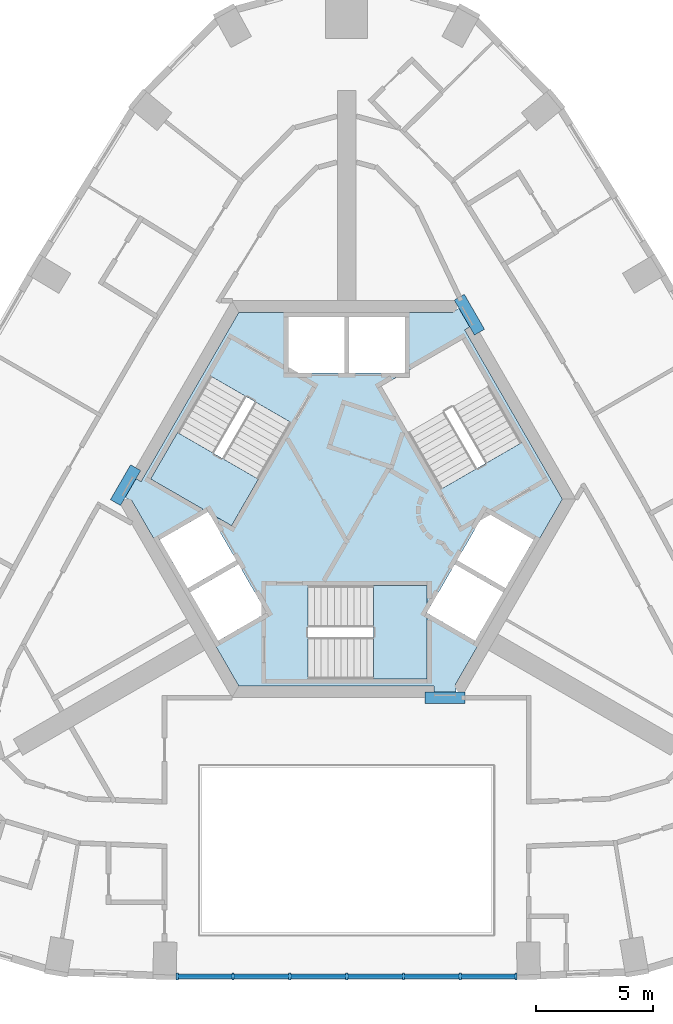
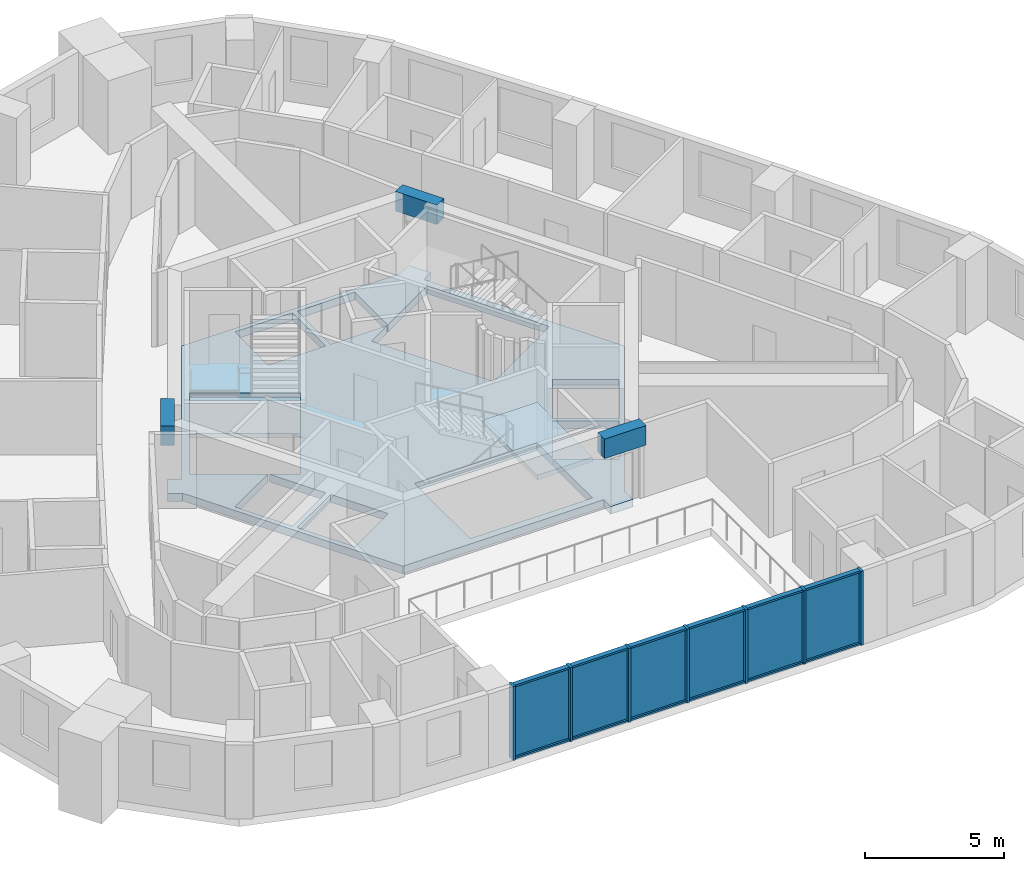
# One storey, part 2 of 10: 19 members, 6 plates, 3 beams, 3 slabs, 3 elements without a shape of their own.
"""IFC4 building model written with IfcOpenShell, lengths in metres."""

from ifc_helpers import new_model, si_unit, direction, frame, origin, origin_2d, place, context, subcontext, project, spatial, polyline, rectangle, outline, extrude, material, layer, layer_set, material_profile, profile_set, type_object, element, aggregate, save


model = new_model("IFC4")

# Units and contexts
model_context = context("Model", 3, precision=1e-05, world=origin(), true_north=direction((0.0, 1.0)))
body_context = subcontext(model_context, "Body", "Model", "MODEL_VIEW")
ifc_project = project(units=[si_unit("LENGTHUNIT", "METRE"), si_unit("AREAUNIT", "SQUARE_METRE"), si_unit("VOLUMEUNIT", "CUBIC_METRE"), si_unit("PLANEANGLEUNIT", "RADIAN"), si_unit("MASSUNIT", "GRAM", prefix="KILO")], contexts=[model_context])

# Site, building, storey
site_placement = place(None, origin())
site = spatial("IfcSite", under=ifc_project, at=site_placement, CompositionType="ELEMENT")
building_placement = place(site_placement, origin())
building = spatial("IfcBuilding", under=site, at=building_placement, Name="Entoto Arch Interchange Tower", CompositionType="ELEMENT")
storey_placement = place(building_placement, frame((0.0, 0.0, 300.800048828125)))
storey = spatial("IfcBuildingStorey", under=building, at=storey_placement, Name="L70", CompositionType="ELEMENT", Elevation=300.800048828125)

# Beams
ifc_material_1 = material(Name="Concrete C40/50", Category="concrete")
ifc_material_profile_1 = material_profile(ifc_material_1, rectangle(XDim=0.5, YDim=0.860107421875, at=origin_2d()))
ifc_profile_set_1 = profile_set([ifc_material_profile_1], Name="Concrete C40/50")
beam_type = type_object("IfcBeamType", Name="Coupling beam RC 500x860 C40/50", PredefinedType="BEAM", material=ifc_profile_set_1)
for number, where, z_axis, x_axis, name in (
    (1, (5.68603515625, 9.65087890625, 2.829833984375), (-0.500105721196, 0.865964357019, 0.0), (-0.865964357019, -0.500105721196, 0.0), "Coupling beam NE L70"),
    (2, (-9.035888671875, 3.84912109375, 2.829833984375), (-0.500105721196, -0.865964357019, 0.0), (0.865964357019, -0.500105721196, 0.0), "Coupling beam NW L70"),
):
    element("IfcBeam", number, at=place(storey_placement, frame(where, z_axis=z_axis, x_axis=x_axis)), inside=storey, type_object=beam_type, Name=name, PredefinedType="BEAM", context=body_context, shape_type="SweptSolid", body=[
        extrude(rectangle(XDim=0.5, YDim=0.860107421875, at=origin_2d()), origin(), (0.0, 0.0, 1.0), 1.727783203125),
    ])
beam_placement = place(storey_placement, frame((3.35009765625, -6.0, 2.829833984375), z_axis=(1.0, 0.0, 0.0), x_axis=(0.0, 1.0, 0.0)))
element("IfcBeam", 3, at=beam_placement, inside=storey, type_object=beam_type, Name="Coupling beam S L70", PredefinedType="BEAM", context=body_context, shape_type="SweptSolid", body=[
    extrude(rectangle(XDim=0.5, YDim=0.860107421875, at=origin_2d()), origin(), (0.0, 0.0, 1.0), 1.725830078125),
])

# Curtain wall, members
ifc_material_2 = material(Name="Aluminium, anodised", Category="aluminium")
curtain_wall_type = type_object("IfcCurtainWallType", Name="CURTAIN WALL ATRIUM", PredefinedType="NOTDEFINED", material=ifc_material_2)
curtain_wall_placement = place(storey_placement, origin())
curtain_wall = element("IfcCurtainWall", 4, at=curtain_wall_placement, inside=storey, type_object=curtain_wall_type, Name="Atrium glazing S-02 L70", PredefinedType="NOTDEFINED")
ifc_material_profile_2 = material_profile(ifc_material_2, rectangle(XDim=0.300048828125, YDim=0.10009765625, at=origin_2d()))
ifc_profile_set_2 = profile_set([ifc_material_profile_2], Name="Aluminium, anodised")
member_type_1 = type_object("IfcMemberType", Name="MULLION ATRIUM 100x300", PredefinedType="MULLION", material=ifc_profile_set_2)
member_1_placement = place(storey_placement, frame((-7.248046875, -17.93896484375, 0.0), z_axis=(0.0, 0.0, 1.0), x_axis=(0.0, 1.0, 0.0)))
member_1 = element("IfcMember", 5, at=member_1_placement, type_object=member_type_1, Name="CWA mullion 1", PredefinedType="MULLION", context=body_context, shape_type="SweptSolid", body=[
    extrude(rectangle(XDim=0.300048828125, YDim=0.10009765625, at=origin_2d()), origin(), (0.0, 0.0, 1.0), 3.260009765625),
])
member_2_placement = place(storey_placement, frame((-4.865234375, -17.93896484375, 0.0), z_axis=(0.0, 0.0, 1.0), x_axis=(0.0, 1.0, 0.0)))
member_2 = element("IfcMember", 6, at=member_2_placement, type_object=member_type_1, Name="CWA mullion 2", PredefinedType="MULLION", context=body_context, shape_type="SweptSolid", body=[
    extrude(rectangle(XDim=0.300048828125, YDim=0.10009765625, at=origin_2d()), origin(), (0.0, 0.0, 1.0), 3.260009765625),
])
member_3_placement = place(storey_placement, frame((-2.4326171875, -17.93896484375, 0.0), z_axis=(0.0, 0.0, 1.0), x_axis=(0.0, 1.0, 0.0)))
member_3 = element("IfcMember", 7, at=member_3_placement, type_object=member_type_1, Name="CWA mullion 3", PredefinedType="MULLION", context=body_context, shape_type="SweptSolid", body=[
    extrude(rectangle(XDim=0.300048828125, YDim=0.10009765625, at=origin_2d()), origin(), (0.0, 0.0, 1.0), 3.260009765625),
])
member_4_placement = place(storey_placement, frame((0.0, -17.93896484375, 0.0), z_axis=(0.0, 0.0, 1.0), x_axis=(0.0, 1.0, 0.0)))
member_4 = element("IfcMember", 8, at=member_4_placement, type_object=member_type_1, Name="CWA mullion 4", PredefinedType="MULLION", context=body_context, shape_type="SweptSolid", body=[
    extrude(rectangle(XDim=0.300048828125, YDim=0.10009765625, at=origin_2d()), origin(), (0.0, 0.0, 1.0), 3.260009765625),
])
member_5_placement = place(storey_placement, frame((2.4326171875, -17.93896484375, 0.0), z_axis=(0.0, 0.0, 1.0), x_axis=(0.0, 1.0, 0.0)))
member_5 = element("IfcMember", 9, at=member_5_placement, type_object=member_type_1, Name="CWA mullion 5", PredefinedType="MULLION", context=body_context, shape_type="SweptSolid", body=[
    extrude(rectangle(XDim=0.300048828125, YDim=0.10009765625, at=origin_2d()), origin(), (0.0, 0.0, 1.0), 3.260009765625),
])
member_6_placement = place(storey_placement, frame((4.865234375, -17.93896484375, 0.0), z_axis=(0.0, 0.0, 1.0), x_axis=(0.0, 1.0, 0.0)))
member_6 = element("IfcMember", 10, at=member_6_placement, type_object=member_type_1, Name="CWA mullion 6", PredefinedType="MULLION", context=body_context, shape_type="SweptSolid", body=[
    extrude(rectangle(XDim=0.300048828125, YDim=0.10009765625, at=origin_2d()), origin(), (0.0, 0.0, 1.0), 3.260009765625),
])
member_7_placement = place(storey_placement, frame((7.248046875, -17.93896484375, 0.0), z_axis=(0.0, 0.0, 1.0), x_axis=(0.0, 1.0, 0.0)))
member_7 = element("IfcMember", 11, at=member_7_placement, type_object=member_type_1, Name="CWA mullion 7", PredefinedType="MULLION", context=body_context, shape_type="SweptSolid", body=[
    extrude(rectangle(XDim=0.300048828125, YDim=0.10009765625, at=origin_2d()), origin(), (0.0, 0.0, 1.0), 3.260009765625),
])
ifc_material_profile_3 = material_profile(ifc_material_2, rectangle(XDim=0.199951171875, YDim=0.080078125, at=origin_2d()))
ifc_profile_set_3 = profile_set([ifc_material_profile_3], Name="Aluminium, anodised")
member_type_2 = type_object("IfcMemberType", Name="TRANSOM ATRIUM 80x200", PredefinedType="USERDEFINED", material=ifc_profile_set_3)
member_8_placement = place(storey_placement, frame((-7.197998046875, -17.93896484375, 0.0400390625), z_axis=(1.0, 0.0, 0.0), x_axis=(0.0, 1.0, 0.0)))
member_8 = element("IfcMember", 12, at=member_8_placement, type_object=member_type_2, Name="CWA transom 1.1", ObjectType="TRANSOM", PredefinedType="USERDEFINED", context=body_context, shape_type="SweptSolid", body=[
    extrude(rectangle(XDim=0.199951171875, YDim=0.080078125, at=origin_2d()), origin(), (0.0, 0.0, 1.0), 2.28271484375),
])
member_9_placement = place(storey_placement, frame((-7.197998046875, -17.93896484375, 3.219970703125), z_axis=(1.0, 0.0, 0.0), x_axis=(0.0, 1.0, 0.0)))
member_9 = element("IfcMember", 13, at=member_9_placement, type_object=member_type_2, Name="CWA transom 1.2", ObjectType="TRANSOM", PredefinedType="USERDEFINED", context=body_context, shape_type="SweptSolid", body=[
    extrude(rectangle(XDim=0.199951171875, YDim=0.080078125, at=origin_2d()), origin(), (0.0, 0.0, 1.0), 2.28271484375),
])
member_10_placement = place(storey_placement, frame((-4.8154296875, -17.93896484375, 0.0400390625), z_axis=(1.0, 0.0, 0.0), x_axis=(0.0, 1.0, 0.0)))
member_10 = element("IfcMember", 14, at=member_10_placement, type_object=member_type_2, Name="CWA transom 2.1", ObjectType="TRANSOM", PredefinedType="USERDEFINED", context=body_context, shape_type="SweptSolid", body=[
    extrude(rectangle(XDim=0.199951171875, YDim=0.080078125, at=origin_2d()), origin(), (0.0, 0.0, 1.0), 2.332763671875),
])
member_11_placement = place(storey_placement, frame((-4.8154296875, -17.93896484375, 3.219970703125), z_axis=(1.0, 0.0, 0.0), x_axis=(0.0, 1.0, 0.0)))
member_11 = element("IfcMember", 15, at=member_11_placement, type_object=member_type_2, Name="CWA transom 2.2", ObjectType="TRANSOM", PredefinedType="USERDEFINED", context=body_context, shape_type="SweptSolid", body=[
    extrude(rectangle(XDim=0.199951171875, YDim=0.080078125, at=origin_2d()), origin(), (0.0, 0.0, 1.0), 2.332763671875),
])
member_12_placement = place(storey_placement, frame((-2.382568359375, -17.93896484375, 0.0400390625), z_axis=(1.0, 0.0, 0.0), x_axis=(0.0, 1.0, 0.0)))
member_12 = element("IfcMember", 16, at=member_12_placement, type_object=member_type_2, Name="CWA transom 3.1", ObjectType="TRANSOM", PredefinedType="USERDEFINED", context=body_context, shape_type="SweptSolid", body=[
    extrude(rectangle(XDim=0.199951171875, YDim=0.080078125, at=origin_2d()), origin(), (0.0, 0.0, 1.0), 2.33251953125),
])
member_13_placement = place(storey_placement, frame((-2.382568359375, -17.93896484375, 3.219970703125), z_axis=(1.0, 0.0, 0.0), x_axis=(0.0, 1.0, 0.0)))
member_13 = element("IfcMember", 17, at=member_13_placement, type_object=member_type_2, Name="CWA transom 3.2", ObjectType="TRANSOM", PredefinedType="USERDEFINED", context=body_context, shape_type="SweptSolid", body=[
    extrude(rectangle(XDim=0.199951171875, YDim=0.080078125, at=origin_2d()), origin(), (0.0, 0.0, 1.0), 2.33251953125),
])
member_14_placement = place(storey_placement, frame((0.050048828125, -17.93896484375, 0.0400390625), z_axis=(1.0, 0.0, 0.0), x_axis=(0.0, 1.0, 0.0)))
member_14 = element("IfcMember", 18, at=member_14_placement, type_object=member_type_2, Name="CWA transom 4.1", ObjectType="TRANSOM", PredefinedType="USERDEFINED", context=body_context, shape_type="SweptSolid", body=[
    extrude(rectangle(XDim=0.199951171875, YDim=0.080078125, at=origin_2d()), origin(), (0.0, 0.0, 1.0), 2.33251953125),
])
member_15_placement = place(storey_placement, frame((0.050048828125, -17.93896484375, 3.219970703125), z_axis=(1.0, 0.0, 0.0), x_axis=(0.0, 1.0, 0.0)))
member_15 = element("IfcMember", 19, at=member_15_placement, type_object=member_type_2, Name="CWA transom 4.2", ObjectType="TRANSOM", PredefinedType="USERDEFINED", context=body_context, shape_type="SweptSolid", body=[
    extrude(rectangle(XDim=0.199951171875, YDim=0.080078125, at=origin_2d()), origin(), (0.0, 0.0, 1.0), 2.33251953125),
])
member_16_placement = place(storey_placement, frame((2.482666015625, -17.93896484375, 0.0400390625), z_axis=(1.0, 0.0, 0.0), x_axis=(0.0, 1.0, 0.0)))
member_16 = element("IfcMember", 20, at=member_16_placement, type_object=member_type_2, Name="CWA transom 5.1", ObjectType="TRANSOM", PredefinedType="USERDEFINED", context=body_context, shape_type="SweptSolid", body=[
    extrude(rectangle(XDim=0.199951171875, YDim=0.080078125, at=origin_2d()), origin(), (0.0, 0.0, 1.0), 2.332763671875),
])
member_17_placement = place(storey_placement, frame((2.482666015625, -17.93896484375, 3.219970703125), z_axis=(1.0, 0.0, 0.0), x_axis=(0.0, 1.0, 0.0)))
member_17 = element("IfcMember", 21, at=member_17_placement, type_object=member_type_2, Name="CWA transom 5.2", ObjectType="TRANSOM", PredefinedType="USERDEFINED", context=body_context, shape_type="SweptSolid", body=[
    extrude(rectangle(XDim=0.199951171875, YDim=0.080078125, at=origin_2d()), origin(), (0.0, 0.0, 1.0), 2.332763671875),
])
member_18_placement = place(storey_placement, frame((4.915283203125, -17.93896484375, 0.0400390625), z_axis=(1.0, 0.0, 0.0), x_axis=(0.0, 1.0, 0.0)))
member_18 = element("IfcMember", 22, at=member_18_placement, type_object=member_type_2, Name="CWA transom 6.1", ObjectType="TRANSOM", PredefinedType="USERDEFINED", context=body_context, shape_type="SweptSolid", body=[
    extrude(rectangle(XDim=0.199951171875, YDim=0.080078125, at=origin_2d()), origin(), (0.0, 0.0, 1.0), 2.28271484375),
])
member_19_placement = place(storey_placement, frame((4.915283203125, -17.93896484375, 3.219970703125), z_axis=(1.0, 0.0, 0.0), x_axis=(0.0, 1.0, 0.0)))
member_19 = element("IfcMember", 23, at=member_19_placement, type_object=member_type_2, Name="CWA transom 6.2", ObjectType="TRANSOM", PredefinedType="USERDEFINED", context=body_context, shape_type="SweptSolid", body=[
    extrude(rectangle(XDim=0.199951171875, YDim=0.080078125, at=origin_2d()), origin(), (0.0, 0.0, 1.0), 2.28271484375),
])

# Slab
ifc_layer_1 = layer(ifc_material_1, 0.340087890625)
ifc_layer_set_1 = layer_set([ifc_layer_1], Name="Concrete C40/50")
slab_type_1 = type_object("IfcSlabType", Name="Core floor slab 340 C40/50", PredefinedType="FLOOR", material=ifc_layer_set_1)
slab_1_placement = place(storey_placement, frame((0.0, 0.0, -0.340087890625)))
element("IfcSlab", 24, at=slab_1_placement, inside=storey, type_object=slab_type_1, Name="Core floor slab L70", PredefinedType="FLOOR", context=body_context, shape_type="SweptSolid", body=[
    extrude(outline(polyline([(-9.208984375, 2.449951171875), (-9.222900390625, 2.425048828125), (-9.699951171875, 2.699951171875), (-9.236083984375, 3.501953125), (-8.802978515625, 3.2529296875), (-4.618896484375, 10.5), (4.56103515625, 10.5), (4.5458984375, 10.52490234375), (5.02197265625, 10.800048828125), (5.486083984375, 9.998046875), (5.052978515625, 9.748046875), (9.238037109375, 2.5), (4.64794921875, -5.449951171875), (4.676025390625, -5.449951171875), (4.676025390625, -6.0), (3.75, -6.0), (3.75, -5.5), (-4.618896484375, -5.5), (-9.208984375, 2.449951171875)]), holes=[polyline([(-1.64990234375, -5.199951171875), (3.449951171875, -5.199951171875), (3.449951171875, -2.3779296875), (5.5048828125, -3.56494140625), (6.705078125, -1.487060546875), (4.626953125, -0.287109375), (3.449951171875, -2.324951171875), (3.449951171875, -1.199951171875), (-1.64990234375, -1.199951171875), (-1.64990234375, -5.199951171875)]), polyline([(-4.626953125, -0.287109375), (-6.705078125, -1.487060546875), (-5.5048828125, -3.56494140625), (-3.427001953125, -2.364990234375), (-4.626953125, -0.287109375)]), polyline([(-5.904052734375, 1.925048828125), (-4.928955078125, 1.362060546875), (-2.37890625, 5.779052734375), (-5.843017578125, 7.779052734375), (-8.39306640625, 3.362060546875), (-5.949951171875, 1.951904296875), (-8.0048828125, 0.764892578125), (-6.804931640625, -1.31298828125), (-4.72705078125, -0.113037109375), (-5.904052734375, 1.925048828125)]), polyline([(4.72705078125, -0.113037109375), (6.804931640625, -1.31298828125), (8.0048828125, 0.764892578125), (5.927001953125, 1.965087890625), (4.72705078125, -0.113037109375)]), polyline([(2.5, 7.927001953125), (2.5, 10.300048828125), (0.10009765625, 10.300048828125), (0.10009765625, 7.89990234375), (2.452880859375, 7.89990234375), (1.47900390625, 7.337890625), (4.029052734375, 2.9208984375), (7.492919921875, 4.9208984375), (4.943115234375, 9.337890625), (2.5, 7.927001953125)]), polyline([(-2.5, 7.89990234375), (-0.10009765625, 7.89990234375), (-0.10009765625, 10.300048828125), (-2.5, 10.300048828125), (-2.5, 7.89990234375)])]), origin(), (0.0, 0.0, 1.0), 0.340087890625),
])

# Stair, slab
stair_type = type_object("IfcStairType", Name="EXIT STAIR RC 1800", PredefinedType="HALF_TURN_STAIR", material=ifc_material_1)
stair_1_placement = place(storey_placement, origin())
stair_1 = element("IfcStair", 25, at=stair_1_placement, inside=storey, type_object=stair_type, Name="L70 Exit stair S", PredefinedType="HALF_TURN_STAIR")
ifc_layer_2 = layer(ifc_material_1, 0.199951171875)
ifc_layer_set_2 = layer_set([ifc_layer_2], Name="Concrete C40/50")
slab_type_2 = type_object("IfcSlabType", Name="EXIT STAIR LANDING RC 200", PredefinedType="LANDING", material=ifc_layer_set_2)
slab_2_placement = place(storey_placement, frame((0.0, 0.0, 1.599853515625)))
slab_2 = element("IfcSlab", 26, at=slab_2_placement, type_object=slab_type_2, Name="ST-S landing 1", PredefinedType="LANDING", context=body_context, shape_type="SweptSolid", body=[
    extrude(outline(polyline([(1.14990234375, -5.199951171875), (3.449951171875, -5.199951171875), (3.449951171875, -1.199951171875), (1.14990234375, -1.199951171875), (1.14990234375, -5.199951171875)])), origin(), (0.0, 0.0, 1.0), 0.2001953125),
])
aggregate(stair_1, [slab_2])

stair_2_placement = place(storey_placement, origin())
stair_2 = element("IfcStair", 27, at=stair_2_placement, inside=storey, type_object=stair_type, Name="L70 Exit stair NW", PredefinedType="HALF_TURN_STAIR")
slab_3_placement = place(storey_placement, frame((0.0, 0.0, 1.599853515625)))
slab_3 = element("IfcSlab", 28, at=slab_3_placement, type_object=slab_type_2, Name="ST-NW landing 1", PredefinedType="LANDING", context=body_context, shape_type="SweptSolid", body=[
    extrude(outline(polyline([(-7.243408203125, 5.35400390625), (-8.393310546875, 3.3623046875), (-4.92919921875, 1.3623046875), (-3.779296875, 3.35400390625), (-7.243408203125, 5.35400390625)])), origin(), (0.0, 0.0, 1.0), 0.2001953125),
])
aggregate(stair_2, [slab_3])

# Plate
ifc_material_3 = material(Name="Clear glass, low-e double glazed", Category="glass")
ifc_layer_3 = layer(ifc_material_3, 0.031982421875)
ifc_layer_set_3 = layer_set([ifc_layer_3], Name="Clear glass, low-e double glazed")
plate_type = type_object("IfcPlateType", Name="GLAZING PANEL ATRIUM 32", PredefinedType="CURTAIN_PANEL", material=ifc_layer_set_3)
plate_1_placement = place(storey_placement, frame((-6.056640625, -17.93896484375, 0.079833984375), z_axis=(0.0, 0.0, 1.0), x_axis=(1.0, 0.0, 0.0)))
plate_1 = element("IfcPlate", 29, at=plate_1_placement, type_object=plate_type, Name="CWA panel 1.1", PredefinedType="CURTAIN_PANEL", context=body_context, shape_type="SweptSolid", body=[
    extrude(rectangle(XDim=2.28271484375, YDim=0.031982421875, at=origin_2d()), origin(), (0.0, 0.0, 1.0), 3.10009765625),
])

plate_2_placement = place(storey_placement, frame((-3.64892578125, -17.93896484375, 0.079833984375), z_axis=(0.0, 0.0, 1.0), x_axis=(1.0, 0.0, 0.0)))
plate_2 = element("IfcPlate", 30, at=plate_2_placement, type_object=plate_type, Name="CWA panel 2.1", PredefinedType="CURTAIN_PANEL", context=body_context, shape_type="SweptSolid", body=[
    extrude(rectangle(XDim=2.332763671875, YDim=0.031982421875, at=origin_2d()), origin(), (0.0, 0.0, 1.0), 3.10009765625),
])

plate_3_placement = place(storey_placement, frame((-1.21630859375, -17.93896484375, 0.079833984375), z_axis=(0.0, 0.0, 1.0), x_axis=(1.0, 0.0, 0.0)))
plate_3 = element("IfcPlate", 31, at=plate_3_placement, type_object=plate_type, Name="CWA panel 3.1", PredefinedType="CURTAIN_PANEL", context=body_context, shape_type="SweptSolid", body=[
    extrude(rectangle(XDim=2.332763671875, YDim=0.031982421875, at=origin_2d()), origin(), (0.0, 0.0, 1.0), 3.10009765625),
])

plate_4_placement = place(storey_placement, frame((1.21630859375, -17.93896484375, 0.079833984375), z_axis=(0.0, 0.0, 1.0), x_axis=(1.0, 0.0, 0.0)))
plate_4 = element("IfcPlate", 32, at=plate_4_placement, type_object=plate_type, Name="CWA panel 4.1", PredefinedType="CURTAIN_PANEL", context=body_context, shape_type="SweptSolid", body=[
    extrude(rectangle(XDim=2.332763671875, YDim=0.031982421875, at=origin_2d()), origin(), (0.0, 0.0, 1.0), 3.10009765625),
])

plate_5_placement = place(storey_placement, frame((3.64892578125, -17.93896484375, 0.079833984375), z_axis=(0.0, 0.0, 1.0), x_axis=(1.0, 0.0, 0.0)))
plate_5 = element("IfcPlate", 33, at=plate_5_placement, type_object=plate_type, Name="CWA panel 5.1", PredefinedType="CURTAIN_PANEL", context=body_context, shape_type="SweptSolid", body=[
    extrude(rectangle(XDim=2.332763671875, YDim=0.031982421875, at=origin_2d()), origin(), (0.0, 0.0, 1.0), 3.10009765625),
])

plate_6_placement = place(storey_placement, frame((6.056640625, -17.93896484375, 0.079833984375), z_axis=(0.0, 0.0, 1.0), x_axis=(1.0, 0.0, 0.0)))
plate_6 = element("IfcPlate", 34, at=plate_6_placement, type_object=plate_type, Name="CWA panel 6.1", PredefinedType="CURTAIN_PANEL", context=body_context, shape_type="SweptSolid", body=[
    extrude(rectangle(XDim=2.28271484375, YDim=0.031982421875, at=origin_2d()), origin(), (0.0, 0.0, 1.0), 3.10009765625),
])

aggregate(curtain_wall, [member_1, member_2, member_3, member_4, member_5, member_6, member_7, member_8, member_9, plate_1, member_10, member_11, plate_2, member_12, member_13, plate_3, member_14, member_15, plate_4, member_16, member_17, plate_5, member_18, member_19, plate_6])

save(model, "model.ifc")
